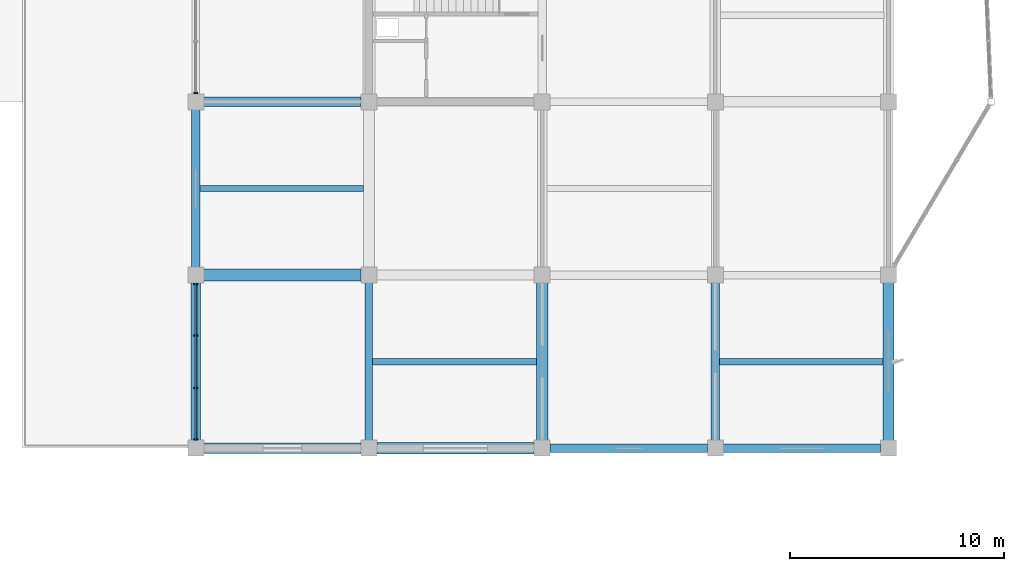
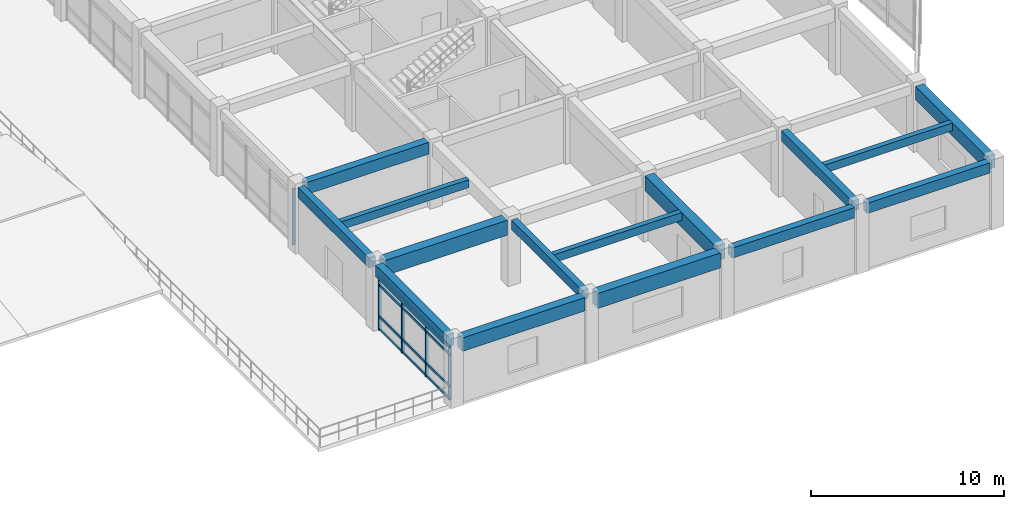
# One storey, part 26 of 70: 15 beams, 9 members, 2 elements without a shape of their own.
"""IFC4 building model written with IfcOpenShell, lengths in metres."""

from ifc_helpers import new_model, si_unit, direction, frame, origin, origin_2d, place, context, subcontext, project, spatial, rectangle, extrude, material, layer, layer_set, material_profile, profile_set, type_object, element, aggregate, save


model = new_model("IFC4")

# Units and contexts
model_context = context("Model", 3, precision=1e-05, world=origin(), true_north=direction((0.0, 1.0)))
body_context = subcontext(model_context, "Body", "Model", "MODEL_VIEW")
ifc_project = project(units=[si_unit("LENGTHUNIT", "METRE"), si_unit("AREAUNIT", "SQUARE_METRE"), si_unit("VOLUMEUNIT", "CUBIC_METRE"), si_unit("PLANEANGLEUNIT", "RADIAN"), si_unit("MASSUNIT", "GRAM", prefix="KILO")], contexts=[model_context])

# Site, building, storey
site_placement = place(None, origin())
site = spatial("IfcSite", under=ifc_project, at=site_placement, CompositionType="ELEMENT")
building_placement = place(site_placement, origin())
building = spatial("IfcBuilding", under=site, at=building_placement, Name="Vaudrelin Polytechnic", CompositionType="ELEMENT")
storey_placement = place(building_placement, frame((0.0, 0.0, 14.110107421875)))
storey = spatial("IfcBuildingStorey", under=building, at=storey_placement, Name="L03", CompositionType="ELEMENT", Elevation=14.110107421875)

# Beams
ifc_material_1 = material(Name="Concrete 40 MPa", Category="concrete")
ifc_material_profile_1 = material_profile(ifc_material_1, rectangle(XDim=0.35009765625, YDim=0.60009765625, at=origin_2d()), Name="RC350x600")
ifc_profile_set_1 = profile_set([ifc_material_profile_1], Name="Concrete 40 MPa")
beam_type_1 = type_object("IfcBeamType", Name="BM-BM-RC3560", PredefinedType="BEAM", material=ifc_profile_set_1)
beam_1_placement = place(storey_placement, frame((145.800048828125, 16.56005859375, 3.85986328125), z_axis=(0.0, 1.0, 0.0), x_axis=(-1.0, 0.0, 0.0)))
element("IfcBeam", 1, at=beam_1_placement, inside=storey, type_object=beam_type_1, Name="L03 Y-beam 19-3", PredefinedType="BEAM", context=body_context, shape_type="SweptSolid", body=[
    extrude(rectangle(XDim=0.35009765625, YDim=0.60009765625, at=origin_2d()), origin(), (0.0, 0.0, 1.0), 7.3798828125),
])
ifc_material_profile_2 = material_profile(ifc_material_1, rectangle(XDim=0.39990234375, YDim=0.64990234375, at=origin_2d()), Name="RC400x650")
ifc_profile_set_2 = profile_set([ifc_material_profile_2], Name="Concrete 40 MPa")
beam_type_2 = type_object("IfcBeamType", Name="BM-BM-RC4065", PredefinedType="BEAM", material=ifc_profile_set_2)
beam_2_placement = place(storey_placement, frame((162.0, 16.56005859375, 3.8349609375), z_axis=(0.0, 1.0, 0.0), x_axis=(-1.0, 0.0, 0.0)))
element("IfcBeam", 2, at=beam_2_placement, inside=storey, type_object=beam_type_2, Name="L03 Y-beam 21-3", PredefinedType="BEAM", context=body_context, shape_type="SweptSolid", body=[
    extrude(rectangle(XDim=0.39990234375, YDim=0.64990234375, at=origin_2d()), origin(), (0.0, 0.0, 1.0), 7.3798828125),
])
beam_3_placement = place(storey_placement, frame((162.37109375, 16.199951171875, 3.8349609375), z_axis=(1.0, 0.0, 0.0), x_axis=(0.0, 1.0, 0.0)))
element("IfcBeam", 3, at=beam_3_placement, inside=storey, type_object=beam_type_2, Name="L03 X-beam 21-3", PredefinedType="BEAM", context=body_context, shape_type="SweptSolid", body=[
    extrude(rectangle(XDim=0.39990234375, YDim=0.64990234375, at=origin_2d()), origin(), (0.0, 0.0, 1.0), 7.35791015625),
])
ifc_material_profile_3 = material_profile(ifc_material_1, rectangle(XDim=0.449951171875, YDim=0.75, at=origin_2d()), Name="RC450x750")
ifc_profile_set_3 = profile_set([ifc_material_profile_3], Name="Concrete 40 MPa")
beam_type_3 = type_object("IfcBeamType", Name="BM-BM-RC4575", PredefinedType="BEAM", material=ifc_profile_set_3)
beam_4_placement = place(storey_placement, frame((137.699951171875, 16.56005859375, 3.784912109375), z_axis=(0.0, 1.0, 0.0), x_axis=(-1.0, 0.0, 0.0)))
element("IfcBeam", 4, at=beam_4_placement, inside=storey, type_object=beam_type_3, Name="L03 Y-beam 18-3", PredefinedType="BEAM", context=body_context, shape_type="SweptSolid", body=[
    extrude(rectangle(XDim=0.449951171875, YDim=0.75, at=origin_2d()), origin(), (0.0, 0.0, 1.0), 7.3798828125),
])
beam_5_placement = place(storey_placement, frame((138.071044921875, 32.39990234375, 3.784912109375), z_axis=(1.0, 0.0, 0.0), x_axis=(0.0, 1.0, 0.0)))
element("IfcBeam", 5, at=beam_5_placement, inside=storey, type_object=beam_type_3, Name="L03 X-beam 18-5", PredefinedType="BEAM", context=body_context, shape_type="SweptSolid", body=[
    extrude(rectangle(XDim=0.449951171875, YDim=0.75, at=origin_2d()), origin(), (0.0, 0.0, 1.0), 7.35791015625),
])
ifc_material_profile_4 = material_profile(ifc_material_1, rectangle(XDim=0.5, YDim=0.85009765625, at=origin_2d()), Name="RC500x850")
ifc_profile_set_4 = profile_set([ifc_material_profile_4], Name="Concrete 40 MPa")
beam_type_4 = type_object("IfcBeamType", Name="BM-BM-RC5085", PredefinedType="BEAM", material=ifc_profile_set_4)
beam_6_placement = place(storey_placement, frame((170.10009765625, 16.56005859375, 3.73486328125), z_axis=(0.0, 1.0, 0.0), x_axis=(-1.0, 0.0, 0.0)))
element("IfcBeam", 6, at=beam_6_placement, inside=storey, type_object=beam_type_4, Name="L03 Y-beam 22-3", PredefinedType="BEAM", context=body_context, shape_type="SweptSolid", body=[
    extrude(rectangle(XDim=0.5, YDim=0.85009765625, at=origin_2d()), origin(), (0.0, 0.0, 1.0), 7.3798828125),
])
beam_7_placement = place(storey_placement, frame((138.071044921875, 16.199951171875, 3.73486328125), z_axis=(1.0, 0.0, 0.0), x_axis=(0.0, 1.0, 0.0)))
element("IfcBeam", 7, at=beam_7_placement, inside=storey, type_object=beam_type_4, Name="L03 X-beam 18-3", PredefinedType="BEAM", context=body_context, shape_type="SweptSolid", body=[
    extrude(rectangle(XDim=0.5, YDim=0.85009765625, at=origin_2d()), origin(), (0.0, 0.0, 1.0), 7.35791015625),
])
ifc_material_2 = material(Name="Concrete 50 MPa", Category="concrete")
ifc_material_profile_5 = material_profile(ifc_material_2, rectangle(XDim=0.550048828125, YDim=0.949951171875, at=origin_2d()), Name="RC550x950")
ifc_profile_set_5 = profile_set([ifc_material_profile_5], Name="Concrete 50 MPa")
beam_type_5 = type_object("IfcBeamType", Name="BM-BM-RC5595", PredefinedType="BEAM", material=ifc_profile_set_5)
beam_8_placement = place(storey_placement, frame((153.89990234375, 16.56005859375, 3.684814453125), z_axis=(0.0, 1.0, 0.0), x_axis=(-1.0, 0.0, 0.0)))
element("IfcBeam", 8, at=beam_8_placement, inside=storey, type_object=beam_type_5, Name="L03 Y-beam 20-3", PredefinedType="BEAM", context=body_context, shape_type="SweptSolid", body=[
    extrude(rectangle(XDim=0.550048828125, YDim=0.949951171875, at=origin_2d()), origin(), (0.0, 0.0, 1.0), 7.3798828125),
])
beam_9_placement = place(storey_placement, frame((138.071044921875, 24.300048828125, 3.684814453125), z_axis=(1.0, 0.0, 0.0), x_axis=(0.0, 1.0, 0.0)))
element("IfcBeam", 9, at=beam_9_placement, inside=storey, type_object=beam_type_5, Name="L03 X-beam 18-4", PredefinedType="BEAM", context=body_context, shape_type="SweptSolid", body=[
    extrude(rectangle(XDim=0.550048828125, YDim=0.949951171875, at=origin_2d()), origin(), (0.0, 0.0, 1.0), 7.35791015625),
])
beam_10_placement = place(storey_placement, frame((146.1708984375, 16.199951171875, 3.684814453125), z_axis=(1.0, 0.0, 0.0), x_axis=(0.0, 1.0, 0.0)))
element("IfcBeam", 10, at=beam_10_placement, inside=storey, type_object=beam_type_5, Name="L03 X-beam 19-3", PredefinedType="BEAM", context=body_context, shape_type="SweptSolid", body=[
    extrude(rectangle(XDim=0.550048828125, YDim=0.949951171875, at=origin_2d()), origin(), (0.0, 0.0, 1.0), 7.358154296875),
])
ifc_material_profile_6 = material_profile(ifc_material_1, rectangle(XDim=0.300048828125, YDim=0.5, at=origin_2d()), Name="RC300x500")
ifc_profile_set_6 = profile_set([ifc_material_profile_6], Name="Concrete 40 MPa")
beam_type_6 = type_object("IfcBeamType", Name="BM-JS-RC3050", PredefinedType="JOIST", material=ifc_profile_set_6)
for number, where, z_axis, x_axis, name in (
    (11, (137.89599609375, 28.35009765625, 3.909912109375), (1.0, 0.0, 0.0), (0.0, 1.0, 0.0), "L03 floor joist 18-4"),
    (12, (145.970947265625, 20.25, 3.909912109375), (1.0, 0.0, 0.0), (0.0, 1.0, 0.0), "L03 floor joist 19-3"),
    (13, (162.196044921875, 20.25, 3.909912109375), (1.0, 0.0, 0.0), (0.0, 1.0, 0.0), "L03 floor joist 21-3"),
):
    element("IfcBeam", number, at=place(storey_placement, frame(where, z_axis=z_axis, x_axis=x_axis)), inside=storey, type_object=beam_type_6, Name=name, PredefinedType="JOIST", context=body_context, shape_type="SweptSolid", body=[
        extrude(rectangle(XDim=0.300048828125, YDim=0.5, at=origin_2d()), origin(), (0.0, 0.0, 1.0), 7.657958984375),
    ])
ifc_material_profile_7 = material_profile(ifc_material_1, rectangle(XDim=0.39990234375, YDim=0.64990234375, at=origin_2d()), Name="RC400x650")
ifc_profile_set_7 = profile_set([ifc_material_profile_7], Name="Concrete 40 MPa")
beam_type_7 = type_object("IfcBeamType", Name="BM-SP-RC4065", PredefinedType="SPANDREL", material=ifc_profile_set_7)
beam_11_placement = place(storey_placement, frame((137.699951171875, 24.659912109375, 3.8349609375), z_axis=(0.0, 1.0, 0.0), x_axis=(-1.0, 0.0, 0.0)))
element("IfcBeam", 14, at=beam_11_placement, inside=storey, type_object=beam_type_7, Name="L03 Y-beam 18-4", PredefinedType="SPANDREL", context=body_context, shape_type="SweptSolid", body=[
    extrude(rectangle(XDim=0.39990234375, YDim=0.64990234375, at=origin_2d()), origin(), (0.0, 0.0, 1.0), 7.380126953125),
])
beam_12_placement = place(storey_placement, frame((154.27099609375, 16.199951171875, 3.8349609375), z_axis=(1.0, 0.0, 0.0), x_axis=(0.0, 1.0, 0.0)))
element("IfcBeam", 15, at=beam_12_placement, inside=storey, type_object=beam_type_7, Name="L03 X-beam 20-3", PredefinedType="SPANDREL", context=body_context, shape_type="SweptSolid", body=[
    extrude(rectangle(XDim=0.39990234375, YDim=0.64990234375, at=origin_2d()), origin(), (0.0, 0.0, 1.0), 7.35791015625),
])

# Curtain wall, members
ifc_material_3 = material(Name="Thermally broken anodised aluminium AA 6063-T6 and low-e triple glazing", Category="aluminium")
ifc_layer = layer(ifc_material_3, 0.199951171875)
ifc_layer_set = layer_set([ifc_layer], Name="Thermally broken anodised aluminium AA 6063-T6 and low-e triple glazing")
curtain_wall_type = type_object("IfcCurtainWallType", Name="CW-CW-LAB", PredefinedType="USERDEFINED", material=ifc_layer_set)
curtain_wall_1_placement = place(storey_placement, origin())
curtain_wall_1 = element("IfcCurtainWall", 16, at=curtain_wall_1_placement, inside=storey, type_object=curtain_wall_type, Name="Curtain wall L03 W_V4_00", ObjectType="CURTAIN WALL", PredefinedType="USERDEFINED")
ifc_material_4 = material(Name="Anodised aluminium AA 6063-T6", Category="aluminium")
ifc_material_profile_8 = material_profile(ifc_material_4, rectangle(XDim=0.06494140625, YDim=0.179931640625, at=origin_2d()), Name="CWM-65x180")
ifc_profile_set_8 = profile_set([ifc_material_profile_8], Name="Anodised aluminium AA 6063-T6")
member_type_1 = type_object("IfcMemberType", Name="MEM-CWM-180", PredefinedType="MULLION", material=ifc_profile_set_8)
member_1_placement = place(storey_placement, frame((137.699951171875, 16.613037109375, 0.0), z_axis=(0.0, 0.0, 1.0), x_axis=(0.0, 1.0, 0.0)))
member_1 = element("IfcMember", 17, at=member_1_placement, type_object=member_type_1, Name="W_V4_00 mullion 1", PredefinedType="MULLION", context=body_context, shape_type="SweptSolid", body=[
    extrude(rectangle(XDim=0.06494140625, YDim=0.179931640625, at=origin_2d()), origin(), (0.0, 0.0, 1.0), 3.411865234375),
])
member_2_placement = place(storey_placement, frame((137.699951171875, 19.0244140625, 0.0), z_axis=(0.0, 0.0, 1.0), x_axis=(0.0, 1.0, 0.0)))
member_2 = element("IfcMember", 18, at=member_2_placement, type_object=member_type_1, Name="W_V4_00 mullion 2", PredefinedType="MULLION", context=body_context, shape_type="SweptSolid", body=[
    extrude(rectangle(XDim=0.06494140625, YDim=0.179931640625, at=origin_2d()), origin(), (0.0, 0.0, 1.0), 3.411865234375),
])
member_3_placement = place(storey_placement, frame((137.699951171875, 21.4755859375, 0.0), z_axis=(0.0, 0.0, 1.0), x_axis=(0.0, 1.0, 0.0)))
member_3 = element("IfcMember", 19, at=member_3_placement, type_object=member_type_1, Name="W_V4_00 mullion 3", PredefinedType="MULLION", context=body_context, shape_type="SweptSolid", body=[
    extrude(rectangle(XDim=0.06494140625, YDim=0.179931640625, at=origin_2d()), origin(), (0.0, 0.0, 1.0), 3.411865234375),
])
member_4_placement = place(storey_placement, frame((137.699951171875, 23.886962890625, 0.0), z_axis=(0.0, 0.0, 1.0), x_axis=(0.0, 1.0, 0.0)))
member_4 = element("IfcMember", 20, at=member_4_placement, type_object=member_type_1, Name="W_V4_00 mullion 4", PredefinedType="MULLION", context=body_context, shape_type="SweptSolid", body=[
    extrude(rectangle(XDim=0.06494140625, YDim=0.179931640625, at=origin_2d()), origin(), (0.0, 0.0, 1.0), 3.411865234375),
])

# Curtain wall, member
curtain_wall_2_placement = place(storey_placement, origin())
curtain_wall_2 = element("IfcCurtainWall", 21, at=curtain_wall_2_placement, inside=storey, type_object=curtain_wall_type, Name="Curtain wall L03 W_V4_02", ObjectType="CURTAIN WALL", PredefinedType="USERDEFINED")
member_5_placement = place(storey_placement, frame((137.699951171875, 32.81298828125, 0.0), z_axis=(0.0, 0.0, 1.0), x_axis=(0.0, 1.0, 0.0)))
member_5 = element("IfcMember", 22, at=member_5_placement, type_object=member_type_1, Name="W_V4_02 mullion 1", PredefinedType="MULLION", context=body_context, shape_type="SweptSolid", body=[
    extrude(rectangle(XDim=0.06494140625, YDim=0.179931640625, at=origin_2d()), origin(), (0.0, 0.0, 1.0), 3.56201171875),
])
aggregate(curtain_wall_2, [member_5])

# Member
ifc_material_profile_9 = material_profile(ifc_material_4, rectangle(XDim=0.074951171875, YDim=0.1650390625, at=origin_2d()), Name="CWT-75x165")
ifc_profile_set_9 = profile_set([ifc_material_profile_9], Name="Anodised aluminium AA 6063-T6")
member_type_2 = type_object("IfcMemberType", Name="MEM-CWT-165", PredefinedType="USERDEFINED", material=ifc_profile_set_9)
member_6_placement = place(storey_placement, frame((137.699951171875, 16.572998046875, 0.0498046875), z_axis=(0.0, 1.0, 0.0), x_axis=(-1.0, 0.0, 0.0)))
member_6 = element("IfcMember", 23, at=member_6_placement, type_object=member_type_2, Name="W_V4_00 transom 1", ObjectType="TRANSOM", PredefinedType="USERDEFINED", context=body_context, shape_type="SweptSolid", body=[
    extrude(rectangle(XDim=0.074951171875, YDim=0.1650390625, at=origin_2d()), origin(), (0.0, 0.0, 1.0), 7.35400390625),
])

member_7_placement = place(storey_placement, frame((137.699951171875, 16.572998046875, 0.849853515625), z_axis=(0.0, 1.0, 0.0), x_axis=(-1.0, 0.0, 0.0)))
member_7 = element("IfcMember", 24, at=member_7_placement, type_object=member_type_2, Name="W_V4_00 transom 2", ObjectType="TRANSOM", PredefinedType="USERDEFINED", context=body_context, shape_type="SweptSolid", body=[
    extrude(rectangle(XDim=0.074951171875, YDim=0.1650390625, at=origin_2d()), origin(), (0.0, 0.0, 1.0), 7.35400390625),
])

member_8_placement = place(storey_placement, frame((137.699951171875, 16.572998046875, 2.86181640625), z_axis=(0.0, 1.0, 0.0), x_axis=(-1.0, 0.0, 0.0)))
member_8 = element("IfcMember", 25, at=member_8_placement, type_object=member_type_2, Name="W_V4_00 transom 3", ObjectType="TRANSOM", PredefinedType="USERDEFINED", context=body_context, shape_type="SweptSolid", body=[
    extrude(rectangle(XDim=0.074951171875, YDim=0.1650390625, at=origin_2d()), origin(), (0.0, 0.0, 1.0), 7.35400390625),
])

member_9_placement = place(storey_placement, frame((137.699951171875, 16.572998046875, 3.36181640625), z_axis=(0.0, 1.0, 0.0), x_axis=(-1.0, 0.0, 0.0)))
member_9 = element("IfcMember", 26, at=member_9_placement, type_object=member_type_2, Name="W_V4_00 transom 4", ObjectType="TRANSOM", PredefinedType="USERDEFINED", context=body_context, shape_type="SweptSolid", body=[
    extrude(rectangle(XDim=0.074951171875, YDim=0.1650390625, at=origin_2d()), origin(), (0.0, 0.0, 1.0), 7.35400390625),
])

aggregate(curtain_wall_1, [member_1, member_2, member_3, member_4, member_6, member_7, member_8, member_9])

save(model, "model.ifc")
